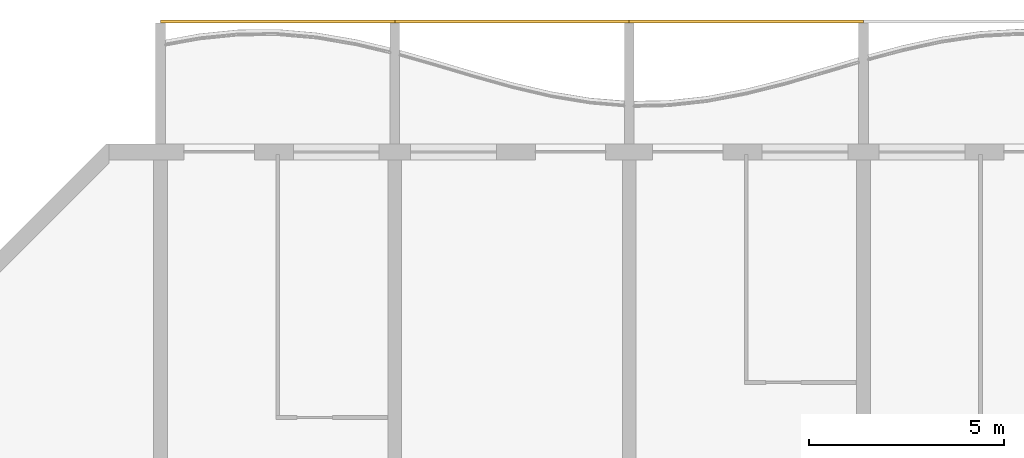
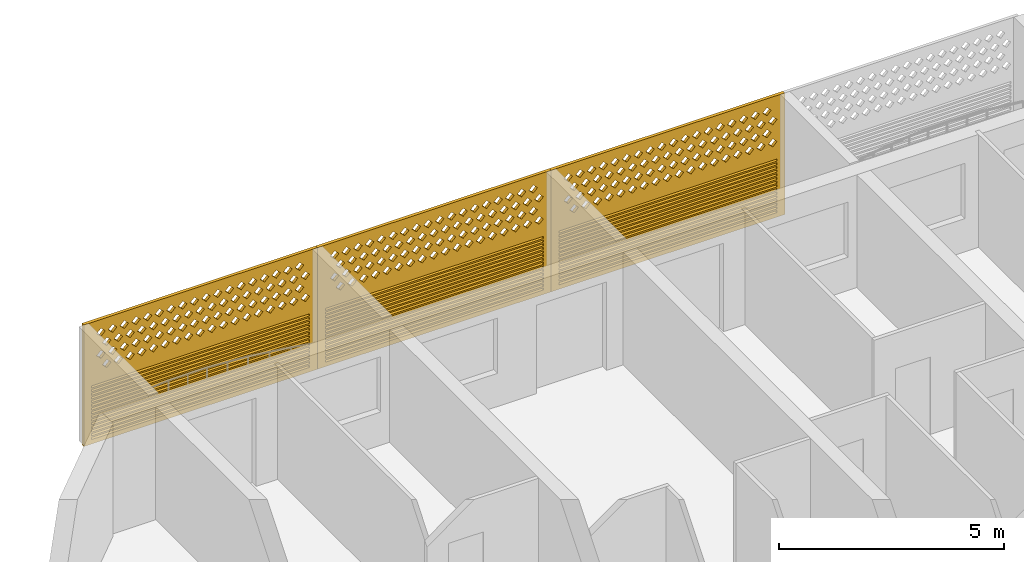
# One storey, part 18 of 24: 3 coverings.
"""IFC4 building model written with IfcOpenShell, lengths in metres."""

from ifc_helpers import new_model, si_unit, direction, frame, origin, place, context, subcontext, project, spatial, polyline, outline, extrude, source, transform, mapped, material, material_profile, profile_set, type_object, element, save


model = new_model("IFC4")

# Units and contexts
model_context = context("Model", 3, precision=1e-05, world=origin(), true_north=direction((0.0, 1.0)))
body_context = subcontext(model_context, "Body", "Model", "MODEL_VIEW")
ifc_project = project(units=[si_unit("LENGTHUNIT", "METRE"), si_unit("AREAUNIT", "SQUARE_METRE"), si_unit("VOLUMEUNIT", "CUBIC_METRE"), si_unit("PLANEANGLEUNIT", "RADIAN"), si_unit("MASSUNIT", "GRAM", prefix="KILO")], contexts=[model_context])

# Site, building, storey
site_placement = place(None, origin())
site = spatial("IfcSite", under=ifc_project, at=site_placement, CompositionType="ELEMENT")
building_placement = place(site_placement, origin())
building = spatial("IfcBuilding", under=site, at=building_placement, Name="Poui Terraces", CompositionType="ELEMENT")
storey_placement = place(building_placement, frame((0.0, 0.0, 109.199951171875)))
storey = spatial("IfcBuildingStorey", under=building, at=storey_placement, Name="L30", CompositionType="ELEMENT", Elevation=109.199951171875)

# Coverings
ifc_material = material(Name="Terracotta screen", Category="masonry")
ifc_material_profile = material_profile(ifc_material, outline(polyline([(-3.0, -1.64990234375), (3.0, -1.64990234375), (3.0, 1.64990234375), (-3.0, 1.64990234375), (-3.0, -1.64990234375)]), holes=[polyline([(-2.800048828125, 0.39990234375), (-2.68994140625, 0.2900390625), (-2.580078125, 0.39990234375), (-2.68994140625, 0.510009765625), (-2.800048828125, 0.39990234375)]), polyline([(-2.5, 0.39990234375), (-2.389892578125, 0.2900390625), (-2.280029296875, 0.39990234375), (-2.389892578125, 0.510009765625), (-2.5, 0.39990234375)]), polyline([(-2.199951171875, 0.39990234375), (-2.090087890625, 0.2900390625), (-1.97998046875, 0.39990234375), (-2.090087890625, 0.510009765625), (-2.199951171875, 0.39990234375)]), polyline([(-1.89990234375, 0.39990234375), (-1.7900390625, 0.2900390625), (-1.679931640625, 0.39990234375), (-1.7900390625, 0.510009765625), (-1.89990234375, 0.39990234375)]), polyline([(-1.60009765625, 0.39990234375), (-1.489990234375, 0.2900390625), (-1.3798828125, 0.39990234375), (-1.489990234375, 0.510009765625), (-1.60009765625, 0.39990234375)]), polyline([(-1.300048828125, 0.39990234375), (-1.18994140625, 0.2900390625), (-1.080078125, 0.39990234375), (-1.18994140625, 0.510009765625), (-1.300048828125, 0.39990234375)]), polyline([(-1.0, 0.39990234375), (-0.889892578125, 0.2900390625), (-0.780029296875, 0.39990234375), (-0.889892578125, 0.510009765625), (-1.0, 0.39990234375)]), polyline([(-0.699951171875, 0.39990234375), (-0.590087890625, 0.2900390625), (-0.47998046875, 0.39990234375), (-0.590087890625, 0.510009765625), (-0.699951171875, 0.39990234375)]), polyline([(-0.39990234375, 0.39990234375), (-0.2900390625, 0.2900390625), (-0.179931640625, 0.39990234375), (-0.2900390625, 0.510009765625), (-0.39990234375, 0.39990234375)]), polyline([(-0.10009765625, 0.39990234375), (0.010009765625, 0.2900390625), (0.1201171875, 0.39990234375), (0.010009765625, 0.510009765625), (-0.10009765625, 0.39990234375)]), polyline([(0.199951171875, 0.39990234375), (0.31005859375, 0.2900390625), (0.419921875, 0.39990234375), (0.31005859375, 0.510009765625), (0.199951171875, 0.39990234375)]), polyline([(0.5, 0.39990234375), (0.610107421875, 0.2900390625), (0.719970703125, 0.39990234375), (0.610107421875, 0.510009765625), (0.5, 0.39990234375)]), polyline([(0.800048828125, 0.39990234375), (0.909912109375, 0.2900390625), (1.02001953125, 0.39990234375), (0.909912109375, 0.510009765625), (0.800048828125, 0.39990234375)]), polyline([(1.10009765625, 0.39990234375), (1.2099609375, 0.2900390625), (1.320068359375, 0.39990234375), (1.2099609375, 0.510009765625), (1.10009765625, 0.39990234375)]), polyline([(1.39990234375, 0.39990234375), (1.510009765625, 0.2900390625), (1.6201171875, 0.39990234375), (1.510009765625, 0.510009765625), (1.39990234375, 0.39990234375)]), polyline([(1.699951171875, 0.39990234375), (1.81005859375, 0.2900390625), (1.919921875, 0.39990234375), (1.81005859375, 0.510009765625), (1.699951171875, 0.39990234375)]), polyline([(2.0, 0.39990234375), (2.110107421875, 0.2900390625), (2.219970703125, 0.39990234375), (2.110107421875, 0.510009765625), (2.0, 0.39990234375)]), polyline([(2.300048828125, 0.39990234375), (2.409912109375, 0.2900390625), (2.52001953125, 0.39990234375), (2.409912109375, 0.510009765625), (2.300048828125, 0.39990234375)]), polyline([(-2.64990234375, 0.699951171875), (-2.5400390625, 0.590087890625), (-2.429931640625, 0.699951171875), (-2.5400390625, 0.81005859375), (-2.64990234375, 0.699951171875)]), polyline([(-2.35009765625, 0.699951171875), (-2.239990234375, 0.590087890625), (-2.1298828125, 0.699951171875), (-2.239990234375, 0.81005859375), (-2.35009765625, 0.699951171875)]), polyline([(-2.050048828125, 0.699951171875), (-1.93994140625, 0.590087890625), (-1.830078125, 0.699951171875), (-1.93994140625, 0.81005859375), (-2.050048828125, 0.699951171875)]), polyline([(-1.75, 0.699951171875), (-1.639892578125, 0.590087890625), (-1.530029296875, 0.699951171875), (-1.639892578125, 0.81005859375), (-1.75, 0.699951171875)]), polyline([(-1.449951171875, 0.699951171875), (-1.340087890625, 0.590087890625), (-1.22998046875, 0.699951171875), (-1.340087890625, 0.81005859375), (-1.449951171875, 0.699951171875)]), polyline([(-1.14990234375, 0.699951171875), (-1.0400390625, 0.590087890625), (-0.929931640625, 0.699951171875), (-1.0400390625, 0.81005859375), (-1.14990234375, 0.699951171875)]), polyline([(-0.85009765625, 0.699951171875), (-0.739990234375, 0.590087890625), (-0.6298828125, 0.699951171875), (-0.739990234375, 0.81005859375), (-0.85009765625, 0.699951171875)]), polyline([(-0.550048828125, 0.699951171875), (-0.43994140625, 0.590087890625), (-0.330078125, 0.699951171875), (-0.43994140625, 0.81005859375), (-0.550048828125, 0.699951171875)]), polyline([(-0.25, 0.699951171875), (-0.139892578125, 0.590087890625), (-0.030029296875, 0.699951171875), (-0.139892578125, 0.81005859375), (-0.25, 0.699951171875)]), polyline([(0.050048828125, 0.699951171875), (0.159912109375, 0.590087890625), (0.27001953125, 0.699951171875), (0.159912109375, 0.81005859375), (0.050048828125, 0.699951171875)]), polyline([(0.35009765625, 0.699951171875), (0.4599609375, 0.590087890625), (0.570068359375, 0.699951171875), (0.4599609375, 0.81005859375), (0.35009765625, 0.699951171875)]), polyline([(0.64990234375, 0.699951171875), (0.760009765625, 0.590087890625), (0.8701171875, 0.699951171875), (0.760009765625, 0.81005859375), (0.64990234375, 0.699951171875)]), polyline([(0.949951171875, 0.699951171875), (1.06005859375, 0.590087890625), (1.169921875, 0.699951171875), (1.06005859375, 0.81005859375), (0.949951171875, 0.699951171875)]), polyline([(1.25, 0.699951171875), (1.360107421875, 0.590087890625), (1.469970703125, 0.699951171875), (1.360107421875, 0.81005859375), (1.25, 0.699951171875)]), polyline([(1.550048828125, 0.699951171875), (1.659912109375, 0.590087890625), (1.77001953125, 0.699951171875), (1.659912109375, 0.81005859375), (1.550048828125, 0.699951171875)]), polyline([(1.85009765625, 0.699951171875), (1.9599609375, 0.590087890625), (2.070068359375, 0.699951171875), (1.9599609375, 0.81005859375), (1.85009765625, 0.699951171875)]), polyline([(2.14990234375, 0.699951171875), (2.260009765625, 0.590087890625), (2.3701171875, 0.699951171875), (2.260009765625, 0.81005859375), (2.14990234375, 0.699951171875)]), polyline([(2.449951171875, 0.699951171875), (2.56005859375, 0.590087890625), (2.669921875, 0.699951171875), (2.56005859375, 0.81005859375), (2.449951171875, 0.699951171875)]), polyline([(-2.800048828125, 1.0), (-2.68994140625, 0.889892578125), (-2.580078125, 1.0), (-2.68994140625, 1.110107421875), (-2.800048828125, 1.0)]), polyline([(-2.5, 1.0), (-2.389892578125, 0.889892578125), (-2.280029296875, 1.0), (-2.389892578125, 1.110107421875), (-2.5, 1.0)]), polyline([(-2.199951171875, 1.0), (-2.090087890625, 0.889892578125), (-1.97998046875, 1.0), (-2.090087890625, 1.110107421875), (-2.199951171875, 1.0)]), polyline([(-1.89990234375, 1.0), (-1.7900390625, 0.889892578125), (-1.679931640625, 1.0), (-1.7900390625, 1.110107421875), (-1.89990234375, 1.0)]), polyline([(-1.60009765625, 1.0), (-1.489990234375, 0.889892578125), (-1.3798828125, 1.0), (-1.489990234375, 1.110107421875), (-1.60009765625, 1.0)]), polyline([(-1.300048828125, 1.0), (-1.18994140625, 0.889892578125), (-1.080078125, 1.0), (-1.18994140625, 1.110107421875), (-1.300048828125, 1.0)]), polyline([(-1.0, 1.0), (-0.889892578125, 0.889892578125), (-0.780029296875, 1.0), (-0.889892578125, 1.110107421875), (-1.0, 1.0)]), polyline([(-0.699951171875, 1.0), (-0.590087890625, 0.889892578125), (-0.47998046875, 1.0), (-0.590087890625, 1.110107421875), (-0.699951171875, 1.0)]), polyline([(-0.39990234375, 1.0), (-0.2900390625, 0.889892578125), (-0.179931640625, 1.0), (-0.2900390625, 1.110107421875), (-0.39990234375, 1.0)]), polyline([(-0.10009765625, 1.0), (0.010009765625, 0.889892578125), (0.1201171875, 1.0), (0.010009765625, 1.110107421875), (-0.10009765625, 1.0)]), polyline([(0.199951171875, 1.0), (0.31005859375, 0.889892578125), (0.419921875, 1.0), (0.31005859375, 1.110107421875), (0.199951171875, 1.0)]), polyline([(0.5, 1.0), (0.610107421875, 0.889892578125), (0.719970703125, 1.0), (0.610107421875, 1.110107421875), (0.5, 1.0)]), polyline([(0.800048828125, 1.0), (0.909912109375, 0.889892578125), (1.02001953125, 1.0), (0.909912109375, 1.110107421875), (0.800048828125, 1.0)]), polyline([(1.10009765625, 1.0), (1.2099609375, 0.889892578125), (1.320068359375, 1.0), (1.2099609375, 1.110107421875), (1.10009765625, 1.0)]), polyline([(1.39990234375, 1.0), (1.510009765625, 0.889892578125), (1.6201171875, 1.0), (1.510009765625, 1.110107421875), (1.39990234375, 1.0)]), polyline([(1.699951171875, 1.0), (1.81005859375, 0.889892578125), (1.919921875, 1.0), (1.81005859375, 1.110107421875), (1.699951171875, 1.0)]), polyline([(2.0, 1.0), (2.110107421875, 0.889892578125), (2.219970703125, 1.0), (2.110107421875, 1.110107421875), (2.0, 1.0)]), polyline([(2.300048828125, 1.0), (2.409912109375, 0.889892578125), (2.52001953125, 1.0), (2.409912109375, 1.110107421875), (2.300048828125, 1.0)]), polyline([(-2.64990234375, 1.300048828125), (-2.5400390625, 1.18994140625), (-2.429931640625, 1.300048828125), (-2.5400390625, 1.409912109375), (-2.64990234375, 1.300048828125)]), polyline([(-2.35009765625, 1.300048828125), (-2.239990234375, 1.18994140625), (-2.1298828125, 1.300048828125), (-2.239990234375, 1.409912109375), (-2.35009765625, 1.300048828125)]), polyline([(-2.050048828125, 1.300048828125), (-1.93994140625, 1.18994140625), (-1.830078125, 1.300048828125), (-1.93994140625, 1.409912109375), (-2.050048828125, 1.300048828125)]), polyline([(-1.75, 1.300048828125), (-1.639892578125, 1.18994140625), (-1.530029296875, 1.300048828125), (-1.639892578125, 1.409912109375), (-1.75, 1.300048828125)]), polyline([(-1.449951171875, 1.300048828125), (-1.340087890625, 1.18994140625), (-1.22998046875, 1.300048828125), (-1.340087890625, 1.409912109375), (-1.449951171875, 1.300048828125)]), polyline([(-1.14990234375, 1.300048828125), (-1.0400390625, 1.18994140625), (-0.929931640625, 1.300048828125), (-1.0400390625, 1.409912109375), (-1.14990234375, 1.300048828125)]), polyline([(-0.85009765625, 1.300048828125), (-0.739990234375, 1.18994140625), (-0.6298828125, 1.300048828125), (-0.739990234375, 1.409912109375), (-0.85009765625, 1.300048828125)]), polyline([(-0.550048828125, 1.300048828125), (-0.43994140625, 1.18994140625), (-0.330078125, 1.300048828125), (-0.43994140625, 1.409912109375), (-0.550048828125, 1.300048828125)]), polyline([(-0.25, 1.300048828125), (-0.139892578125, 1.18994140625), (-0.030029296875, 1.300048828125), (-0.139892578125, 1.409912109375), (-0.25, 1.300048828125)]), polyline([(0.050048828125, 1.300048828125), (0.159912109375, 1.18994140625), (0.27001953125, 1.300048828125), (0.159912109375, 1.409912109375), (0.050048828125, 1.300048828125)]), polyline([(0.35009765625, 1.300048828125), (0.4599609375, 1.18994140625), (0.570068359375, 1.300048828125), (0.4599609375, 1.409912109375), (0.35009765625, 1.300048828125)]), polyline([(0.64990234375, 1.300048828125), (0.760009765625, 1.18994140625), (0.8701171875, 1.300048828125), (0.760009765625, 1.409912109375), (0.64990234375, 1.300048828125)]), polyline([(0.949951171875, 1.300048828125), (1.06005859375, 1.18994140625), (1.169921875, 1.300048828125), (1.06005859375, 1.409912109375), (0.949951171875, 1.300048828125)]), polyline([(1.25, 1.300048828125), (1.360107421875, 1.18994140625), (1.469970703125, 1.300048828125), (1.360107421875, 1.409912109375), (1.25, 1.300048828125)]), polyline([(1.550048828125, 1.300048828125), (1.659912109375, 1.18994140625), (1.77001953125, 1.300048828125), (1.659912109375, 1.409912109375), (1.550048828125, 1.300048828125)]), polyline([(1.85009765625, 1.300048828125), (1.9599609375, 1.18994140625), (2.070068359375, 1.300048828125), (1.9599609375, 1.409912109375), (1.85009765625, 1.300048828125)]), polyline([(2.14990234375, 1.300048828125), (2.260009765625, 1.18994140625), (2.3701171875, 1.300048828125), (2.260009765625, 1.409912109375), (2.14990234375, 1.300048828125)]), polyline([(2.449951171875, 1.300048828125), (2.56005859375, 1.18994140625), (2.669921875, 1.300048828125), (2.56005859375, 1.409912109375), (2.449951171875, 1.300048828125)]), polyline([(-2.800048828125, -1.530029296875), (2.800048828125, -1.530029296875), (2.800048828125, -1.469970703125), (-2.800048828125, -1.469970703125), (-2.800048828125, -1.530029296875)]), polyline([(-2.800048828125, -1.429931640625), (2.800048828125, -1.429931640625), (2.800048828125, -1.3701171875), (-2.800048828125, -1.3701171875), (-2.800048828125, -1.429931640625)]), polyline([(-2.800048828125, -1.330078125), (2.800048828125, -1.330078125), (2.800048828125, -1.27001953125), (-2.800048828125, -1.27001953125), (-2.800048828125, -1.330078125)]), polyline([(-2.800048828125, -1.22998046875), (2.800048828125, -1.22998046875), (2.800048828125, -1.169921875), (-2.800048828125, -1.169921875), (-2.800048828125, -1.22998046875)]), polyline([(-2.800048828125, -1.1298828125), (2.800048828125, -1.1298828125), (2.800048828125, -1.070068359375), (-2.800048828125, -1.070068359375), (-2.800048828125, -1.1298828125)]), polyline([(-2.800048828125, -1.030029296875), (2.800048828125, -1.030029296875), (2.800048828125, -0.969970703125), (-2.800048828125, -0.969970703125), (-2.800048828125, -1.030029296875)]), polyline([(-2.800048828125, -0.929931640625), (2.800048828125, -0.929931640625), (2.800048828125, -0.8701171875), (-2.800048828125, -0.8701171875), (-2.800048828125, -0.929931640625)]), polyline([(-2.800048828125, -0.830078125), (2.800048828125, -0.830078125), (2.800048828125, -0.77001953125), (-2.800048828125, -0.77001953125), (-2.800048828125, -0.830078125)]), polyline([(-2.800048828125, -0.72998046875), (2.800048828125, -0.72998046875), (2.800048828125, -0.669921875), (-2.800048828125, -0.669921875), (-2.800048828125, -0.72998046875)]), polyline([(-2.800048828125, -0.6298828125), (2.800048828125, -0.6298828125), (2.800048828125, -0.570068359375), (-2.800048828125, -0.570068359375), (-2.800048828125, -0.6298828125)]), polyline([(-2.800048828125, -0.530029296875), (2.800048828125, -0.530029296875), (2.800048828125, -0.469970703125), (-2.800048828125, -0.469970703125), (-2.800048828125, -0.530029296875)]), polyline([(-2.800048828125, -0.429931640625), (2.800048828125, -0.429931640625), (2.800048828125, -0.3701171875), (-2.800048828125, -0.3701171875), (-2.800048828125, -0.429931640625)]), polyline([(-2.800048828125, -0.330078125), (2.800048828125, -0.330078125), (2.800048828125, -0.27001953125), (-2.800048828125, -0.27001953125), (-2.800048828125, -0.330078125)]), polyline([(-2.800048828125, -0.22998046875), (2.800048828125, -0.22998046875), (2.800048828125, -0.169921875), (-2.800048828125, -0.169921875), (-2.800048828125, -0.22998046875)]), polyline([(-2.800048828125, -0.1298828125), (2.800048828125, -0.1298828125), (2.800048828125, -0.070068359375), (-2.800048828125, -0.070068359375), (-2.800048828125, -0.1298828125)])]), Name="TERRACOTTA SCREEN AND JALOUSIE LOUVRE 6000X3300")
ifc_profile_set = profile_set([ifc_material_profile], Name="Terracotta screen")
covering_type = type_object("IfcCoveringType", Name="TERRACOTTA SCREEN AND JALOUSIE LOUVRE 6000X3300", PredefinedType="CLADDING", material=ifc_profile_set)
shared_shape = source(origin(), body_context, "Body", "SweptSolid", [
    extrude(outline(polyline([(-3.0, -1.64990234375), (3.0, -1.64990234375), (3.0, 1.64990234375), (-3.0, 1.64990234375), (-3.0, -1.64990234375)]), holes=[polyline([(-2.800048828125, 0.39990234375), (-2.68994140625, 0.2900390625), (-2.580078125, 0.39990234375), (-2.68994140625, 0.510009765625), (-2.800048828125, 0.39990234375)]), polyline([(-2.5, 0.39990234375), (-2.389892578125, 0.2900390625), (-2.280029296875, 0.39990234375), (-2.389892578125, 0.510009765625), (-2.5, 0.39990234375)]), polyline([(-2.199951171875, 0.39990234375), (-2.090087890625, 0.2900390625), (-1.97998046875, 0.39990234375), (-2.090087890625, 0.510009765625), (-2.199951171875, 0.39990234375)]), polyline([(-1.89990234375, 0.39990234375), (-1.7900390625, 0.2900390625), (-1.679931640625, 0.39990234375), (-1.7900390625, 0.510009765625), (-1.89990234375, 0.39990234375)]), polyline([(-1.60009765625, 0.39990234375), (-1.489990234375, 0.2900390625), (-1.3798828125, 0.39990234375), (-1.489990234375, 0.510009765625), (-1.60009765625, 0.39990234375)]), polyline([(-1.300048828125, 0.39990234375), (-1.18994140625, 0.2900390625), (-1.080078125, 0.39990234375), (-1.18994140625, 0.510009765625), (-1.300048828125, 0.39990234375)]), polyline([(-1.0, 0.39990234375), (-0.889892578125, 0.2900390625), (-0.780029296875, 0.39990234375), (-0.889892578125, 0.510009765625), (-1.0, 0.39990234375)]), polyline([(-0.699951171875, 0.39990234375), (-0.590087890625, 0.2900390625), (-0.47998046875, 0.39990234375), (-0.590087890625, 0.510009765625), (-0.699951171875, 0.39990234375)]), polyline([(-0.39990234375, 0.39990234375), (-0.2900390625, 0.2900390625), (-0.179931640625, 0.39990234375), (-0.2900390625, 0.510009765625), (-0.39990234375, 0.39990234375)]), polyline([(-0.10009765625, 0.39990234375), (0.010009765625, 0.2900390625), (0.1201171875, 0.39990234375), (0.010009765625, 0.510009765625), (-0.10009765625, 0.39990234375)]), polyline([(0.199951171875, 0.39990234375), (0.31005859375, 0.2900390625), (0.419921875, 0.39990234375), (0.31005859375, 0.510009765625), (0.199951171875, 0.39990234375)]), polyline([(0.5, 0.39990234375), (0.610107421875, 0.2900390625), (0.719970703125, 0.39990234375), (0.610107421875, 0.510009765625), (0.5, 0.39990234375)]), polyline([(0.800048828125, 0.39990234375), (0.909912109375, 0.2900390625), (1.02001953125, 0.39990234375), (0.909912109375, 0.510009765625), (0.800048828125, 0.39990234375)]), polyline([(1.10009765625, 0.39990234375), (1.2099609375, 0.2900390625), (1.320068359375, 0.39990234375), (1.2099609375, 0.510009765625), (1.10009765625, 0.39990234375)]), polyline([(1.39990234375, 0.39990234375), (1.510009765625, 0.2900390625), (1.6201171875, 0.39990234375), (1.510009765625, 0.510009765625), (1.39990234375, 0.39990234375)]), polyline([(1.699951171875, 0.39990234375), (1.81005859375, 0.2900390625), (1.919921875, 0.39990234375), (1.81005859375, 0.510009765625), (1.699951171875, 0.39990234375)]), polyline([(2.0, 0.39990234375), (2.110107421875, 0.2900390625), (2.219970703125, 0.39990234375), (2.110107421875, 0.510009765625), (2.0, 0.39990234375)]), polyline([(2.300048828125, 0.39990234375), (2.409912109375, 0.2900390625), (2.52001953125, 0.39990234375), (2.409912109375, 0.510009765625), (2.300048828125, 0.39990234375)]), polyline([(-2.64990234375, 0.699951171875), (-2.5400390625, 0.590087890625), (-2.429931640625, 0.699951171875), (-2.5400390625, 0.81005859375), (-2.64990234375, 0.699951171875)]), polyline([(-2.35009765625, 0.699951171875), (-2.239990234375, 0.590087890625), (-2.1298828125, 0.699951171875), (-2.239990234375, 0.81005859375), (-2.35009765625, 0.699951171875)]), polyline([(-2.050048828125, 0.699951171875), (-1.93994140625, 0.590087890625), (-1.830078125, 0.699951171875), (-1.93994140625, 0.81005859375), (-2.050048828125, 0.699951171875)]), polyline([(-1.75, 0.699951171875), (-1.639892578125, 0.590087890625), (-1.530029296875, 0.699951171875), (-1.639892578125, 0.81005859375), (-1.75, 0.699951171875)]), polyline([(-1.449951171875, 0.699951171875), (-1.340087890625, 0.590087890625), (-1.22998046875, 0.699951171875), (-1.340087890625, 0.81005859375), (-1.449951171875, 0.699951171875)]), polyline([(-1.14990234375, 0.699951171875), (-1.0400390625, 0.590087890625), (-0.929931640625, 0.699951171875), (-1.0400390625, 0.81005859375), (-1.14990234375, 0.699951171875)]), polyline([(-0.85009765625, 0.699951171875), (-0.739990234375, 0.590087890625), (-0.6298828125, 0.699951171875), (-0.739990234375, 0.81005859375), (-0.85009765625, 0.699951171875)]), polyline([(-0.550048828125, 0.699951171875), (-0.43994140625, 0.590087890625), (-0.330078125, 0.699951171875), (-0.43994140625, 0.81005859375), (-0.550048828125, 0.699951171875)]), polyline([(-0.25, 0.699951171875), (-0.139892578125, 0.590087890625), (-0.030029296875, 0.699951171875), (-0.139892578125, 0.81005859375), (-0.25, 0.699951171875)]), polyline([(0.050048828125, 0.699951171875), (0.159912109375, 0.590087890625), (0.27001953125, 0.699951171875), (0.159912109375, 0.81005859375), (0.050048828125, 0.699951171875)]), polyline([(0.35009765625, 0.699951171875), (0.4599609375, 0.590087890625), (0.570068359375, 0.699951171875), (0.4599609375, 0.81005859375), (0.35009765625, 0.699951171875)]), polyline([(0.64990234375, 0.699951171875), (0.760009765625, 0.590087890625), (0.8701171875, 0.699951171875), (0.760009765625, 0.81005859375), (0.64990234375, 0.699951171875)]), polyline([(0.949951171875, 0.699951171875), (1.06005859375, 0.590087890625), (1.169921875, 0.699951171875), (1.06005859375, 0.81005859375), (0.949951171875, 0.699951171875)]), polyline([(1.25, 0.699951171875), (1.360107421875, 0.590087890625), (1.469970703125, 0.699951171875), (1.360107421875, 0.81005859375), (1.25, 0.699951171875)]), polyline([(1.550048828125, 0.699951171875), (1.659912109375, 0.590087890625), (1.77001953125, 0.699951171875), (1.659912109375, 0.81005859375), (1.550048828125, 0.699951171875)]), polyline([(1.85009765625, 0.699951171875), (1.9599609375, 0.590087890625), (2.070068359375, 0.699951171875), (1.9599609375, 0.81005859375), (1.85009765625, 0.699951171875)]), polyline([(2.14990234375, 0.699951171875), (2.260009765625, 0.590087890625), (2.3701171875, 0.699951171875), (2.260009765625, 0.81005859375), (2.14990234375, 0.699951171875)]), polyline([(2.449951171875, 0.699951171875), (2.56005859375, 0.590087890625), (2.669921875, 0.699951171875), (2.56005859375, 0.81005859375), (2.449951171875, 0.699951171875)]), polyline([(-2.800048828125, 1.0), (-2.68994140625, 0.889892578125), (-2.580078125, 1.0), (-2.68994140625, 1.110107421875), (-2.800048828125, 1.0)]), polyline([(-2.5, 1.0), (-2.389892578125, 0.889892578125), (-2.280029296875, 1.0), (-2.389892578125, 1.110107421875), (-2.5, 1.0)]), polyline([(-2.199951171875, 1.0), (-2.090087890625, 0.889892578125), (-1.97998046875, 1.0), (-2.090087890625, 1.110107421875), (-2.199951171875, 1.0)]), polyline([(-1.89990234375, 1.0), (-1.7900390625, 0.889892578125), (-1.679931640625, 1.0), (-1.7900390625, 1.110107421875), (-1.89990234375, 1.0)]), polyline([(-1.60009765625, 1.0), (-1.489990234375, 0.889892578125), (-1.3798828125, 1.0), (-1.489990234375, 1.110107421875), (-1.60009765625, 1.0)]), polyline([(-1.300048828125, 1.0), (-1.18994140625, 0.889892578125), (-1.080078125, 1.0), (-1.18994140625, 1.110107421875), (-1.300048828125, 1.0)]), polyline([(-1.0, 1.0), (-0.889892578125, 0.889892578125), (-0.780029296875, 1.0), (-0.889892578125, 1.110107421875), (-1.0, 1.0)]), polyline([(-0.699951171875, 1.0), (-0.590087890625, 0.889892578125), (-0.47998046875, 1.0), (-0.590087890625, 1.110107421875), (-0.699951171875, 1.0)]), polyline([(-0.39990234375, 1.0), (-0.2900390625, 0.889892578125), (-0.179931640625, 1.0), (-0.2900390625, 1.110107421875), (-0.39990234375, 1.0)]), polyline([(-0.10009765625, 1.0), (0.010009765625, 0.889892578125), (0.1201171875, 1.0), (0.010009765625, 1.110107421875), (-0.10009765625, 1.0)]), polyline([(0.199951171875, 1.0), (0.31005859375, 0.889892578125), (0.419921875, 1.0), (0.31005859375, 1.110107421875), (0.199951171875, 1.0)]), polyline([(0.5, 1.0), (0.610107421875, 0.889892578125), (0.719970703125, 1.0), (0.610107421875, 1.110107421875), (0.5, 1.0)]), polyline([(0.800048828125, 1.0), (0.909912109375, 0.889892578125), (1.02001953125, 1.0), (0.909912109375, 1.110107421875), (0.800048828125, 1.0)]), polyline([(1.10009765625, 1.0), (1.2099609375, 0.889892578125), (1.320068359375, 1.0), (1.2099609375, 1.110107421875), (1.10009765625, 1.0)]), polyline([(1.39990234375, 1.0), (1.510009765625, 0.889892578125), (1.6201171875, 1.0), (1.510009765625, 1.110107421875), (1.39990234375, 1.0)]), polyline([(1.699951171875, 1.0), (1.81005859375, 0.889892578125), (1.919921875, 1.0), (1.81005859375, 1.110107421875), (1.699951171875, 1.0)]), polyline([(2.0, 1.0), (2.110107421875, 0.889892578125), (2.219970703125, 1.0), (2.110107421875, 1.110107421875), (2.0, 1.0)]), polyline([(2.300048828125, 1.0), (2.409912109375, 0.889892578125), (2.52001953125, 1.0), (2.409912109375, 1.110107421875), (2.300048828125, 1.0)]), polyline([(-2.64990234375, 1.300048828125), (-2.5400390625, 1.18994140625), (-2.429931640625, 1.300048828125), (-2.5400390625, 1.409912109375), (-2.64990234375, 1.300048828125)]), polyline([(-2.35009765625, 1.300048828125), (-2.239990234375, 1.18994140625), (-2.1298828125, 1.300048828125), (-2.239990234375, 1.409912109375), (-2.35009765625, 1.300048828125)]), polyline([(-2.050048828125, 1.300048828125), (-1.93994140625, 1.18994140625), (-1.830078125, 1.300048828125), (-1.93994140625, 1.409912109375), (-2.050048828125, 1.300048828125)]), polyline([(-1.75, 1.300048828125), (-1.639892578125, 1.18994140625), (-1.530029296875, 1.300048828125), (-1.639892578125, 1.409912109375), (-1.75, 1.300048828125)]), polyline([(-1.449951171875, 1.300048828125), (-1.340087890625, 1.18994140625), (-1.22998046875, 1.300048828125), (-1.340087890625, 1.409912109375), (-1.449951171875, 1.300048828125)]), polyline([(-1.14990234375, 1.300048828125), (-1.0400390625, 1.18994140625), (-0.929931640625, 1.300048828125), (-1.0400390625, 1.409912109375), (-1.14990234375, 1.300048828125)]), polyline([(-0.85009765625, 1.300048828125), (-0.739990234375, 1.18994140625), (-0.6298828125, 1.300048828125), (-0.739990234375, 1.409912109375), (-0.85009765625, 1.300048828125)]), polyline([(-0.550048828125, 1.300048828125), (-0.43994140625, 1.18994140625), (-0.330078125, 1.300048828125), (-0.43994140625, 1.409912109375), (-0.550048828125, 1.300048828125)]), polyline([(-0.25, 1.300048828125), (-0.139892578125, 1.18994140625), (-0.030029296875, 1.300048828125), (-0.139892578125, 1.409912109375), (-0.25, 1.300048828125)]), polyline([(0.050048828125, 1.300048828125), (0.159912109375, 1.18994140625), (0.27001953125, 1.300048828125), (0.159912109375, 1.409912109375), (0.050048828125, 1.300048828125)]), polyline([(0.35009765625, 1.300048828125), (0.4599609375, 1.18994140625), (0.570068359375, 1.300048828125), (0.4599609375, 1.409912109375), (0.35009765625, 1.300048828125)]), polyline([(0.64990234375, 1.300048828125), (0.760009765625, 1.18994140625), (0.8701171875, 1.300048828125), (0.760009765625, 1.409912109375), (0.64990234375, 1.300048828125)]), polyline([(0.949951171875, 1.300048828125), (1.06005859375, 1.18994140625), (1.169921875, 1.300048828125), (1.06005859375, 1.409912109375), (0.949951171875, 1.300048828125)]), polyline([(1.25, 1.300048828125), (1.360107421875, 1.18994140625), (1.469970703125, 1.300048828125), (1.360107421875, 1.409912109375), (1.25, 1.300048828125)]), polyline([(1.550048828125, 1.300048828125), (1.659912109375, 1.18994140625), (1.77001953125, 1.300048828125), (1.659912109375, 1.409912109375), (1.550048828125, 1.300048828125)]), polyline([(1.85009765625, 1.300048828125), (1.9599609375, 1.18994140625), (2.070068359375, 1.300048828125), (1.9599609375, 1.409912109375), (1.85009765625, 1.300048828125)]), polyline([(2.14990234375, 1.300048828125), (2.260009765625, 1.18994140625), (2.3701171875, 1.300048828125), (2.260009765625, 1.409912109375), (2.14990234375, 1.300048828125)]), polyline([(2.449951171875, 1.300048828125), (2.56005859375, 1.18994140625), (2.669921875, 1.300048828125), (2.56005859375, 1.409912109375), (2.449951171875, 1.300048828125)]), polyline([(-2.800048828125, -1.530029296875), (2.800048828125, -1.530029296875), (2.800048828125, -1.469970703125), (-2.800048828125, -1.469970703125), (-2.800048828125, -1.530029296875)]), polyline([(-2.800048828125, -1.429931640625), (2.800048828125, -1.429931640625), (2.800048828125, -1.3701171875), (-2.800048828125, -1.3701171875), (-2.800048828125, -1.429931640625)]), polyline([(-2.800048828125, -1.330078125), (2.800048828125, -1.330078125), (2.800048828125, -1.27001953125), (-2.800048828125, -1.27001953125), (-2.800048828125, -1.330078125)]), polyline([(-2.800048828125, -1.22998046875), (2.800048828125, -1.22998046875), (2.800048828125, -1.169921875), (-2.800048828125, -1.169921875), (-2.800048828125, -1.22998046875)]), polyline([(-2.800048828125, -1.1298828125), (2.800048828125, -1.1298828125), (2.800048828125, -1.070068359375), (-2.800048828125, -1.070068359375), (-2.800048828125, -1.1298828125)]), polyline([(-2.800048828125, -1.030029296875), (2.800048828125, -1.030029296875), (2.800048828125, -0.969970703125), (-2.800048828125, -0.969970703125), (-2.800048828125, -1.030029296875)]), polyline([(-2.800048828125, -0.929931640625), (2.800048828125, -0.929931640625), (2.800048828125, -0.8701171875), (-2.800048828125, -0.8701171875), (-2.800048828125, -0.929931640625)]), polyline([(-2.800048828125, -0.830078125), (2.800048828125, -0.830078125), (2.800048828125, -0.77001953125), (-2.800048828125, -0.77001953125), (-2.800048828125, -0.830078125)]), polyline([(-2.800048828125, -0.72998046875), (2.800048828125, -0.72998046875), (2.800048828125, -0.669921875), (-2.800048828125, -0.669921875), (-2.800048828125, -0.72998046875)]), polyline([(-2.800048828125, -0.6298828125), (2.800048828125, -0.6298828125), (2.800048828125, -0.570068359375), (-2.800048828125, -0.570068359375), (-2.800048828125, -0.6298828125)]), polyline([(-2.800048828125, -0.530029296875), (2.800048828125, -0.530029296875), (2.800048828125, -0.469970703125), (-2.800048828125, -0.469970703125), (-2.800048828125, -0.530029296875)]), polyline([(-2.800048828125, -0.429931640625), (2.800048828125, -0.429931640625), (2.800048828125, -0.3701171875), (-2.800048828125, -0.3701171875), (-2.800048828125, -0.429931640625)]), polyline([(-2.800048828125, -0.330078125), (2.800048828125, -0.330078125), (2.800048828125, -0.27001953125), (-2.800048828125, -0.27001953125), (-2.800048828125, -0.330078125)]), polyline([(-2.800048828125, -0.22998046875), (2.800048828125, -0.22998046875), (2.800048828125, -0.169921875), (-2.800048828125, -0.169921875), (-2.800048828125, -0.22998046875)]), polyline([(-2.800048828125, -0.1298828125), (2.800048828125, -0.1298828125), (2.800048828125, -0.070068359375), (-2.800048828125, -0.070068359375), (-2.800048828125, -0.1298828125)])]), origin(), (0.0, 0.0, 1.0), 0.080078125),
])
for number, where, z_axis, x_axis, name in (
    (1, (21.0, 46.89990234375, 1.449951171875), (0.0, 1.0, 0.0), (-1.0, 0.0, 0.0), "SOLAR SCREEN AND JALOUSIE LOUVRE"),
    (2, (27.0, 46.89990234375, 1.449951171875), (0.0, 1.0, 0.0), (-1.0, 0.0, 0.0), "SOLAR SCREEN AND JALOUSIE LOUVRE"),
    (3, (33.0, 46.89990234375, 1.449951171875), (0.0, 1.0, 0.0), (-1.0, 0.0, 0.0), "SOLAR SCREEN AND JALOUSIE LOUVRE"),
):
    element("IfcCovering", number, at=place(storey_placement, frame(where, z_axis=z_axis, x_axis=x_axis)), inside=storey, type_object=covering_type, Name=name, PredefinedType="CLADDING", context=body_context, shape_type="MappedRepresentation", body=[
        mapped(shared_shape, transform((0.0, 0.0, 0.0))),
    ])

save(model, "model.ifc")
